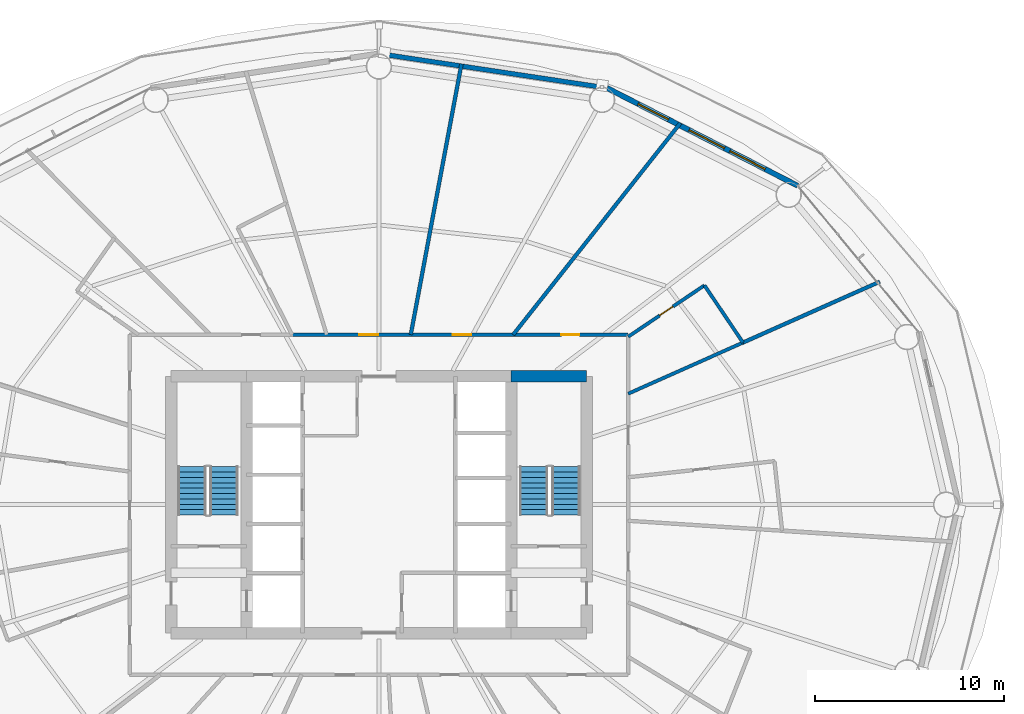
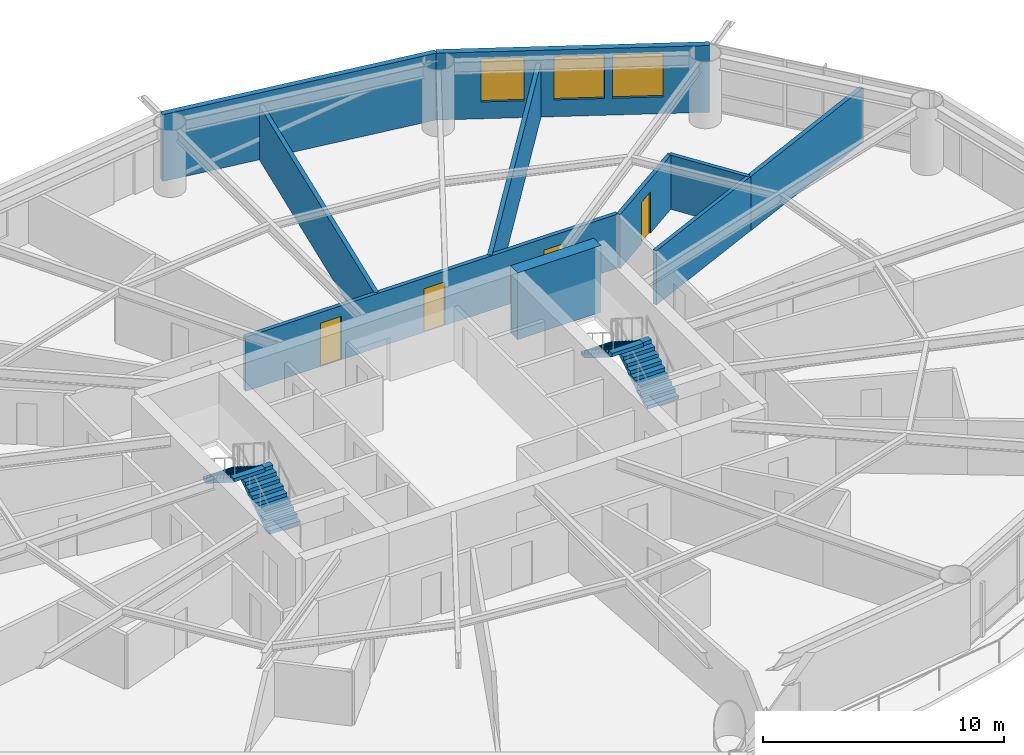
# One storey, part 23 of 26: 10 walls, 4 doors, 4 stair flights, 3 windows, 7 openings, 2 elements without a shape of their own.
"""IFC4 building model written with IfcOpenShell, lengths in metres."""

from ifc_helpers import new_model, si_unit, direction, frame, frame_2d, origin, place, context, subcontext, project, spatial, polyline, rectangle, outline, extrude, material, layer, layer_set, type_object, element, fill, aggregate, save


model = new_model("IFC4")

# Units and contexts
model_context = context("Model", 3, precision=1e-05, world=origin(), true_north=direction((0.0, 1.0)))
body_context = subcontext(model_context, "Body", "Model", "MODEL_VIEW")
ifc_project = project(units=[si_unit("LENGTHUNIT", "METRE"), si_unit("AREAUNIT", "SQUARE_METRE"), si_unit("VOLUMEUNIT", "CUBIC_METRE"), si_unit("PLANEANGLEUNIT", "RADIAN"), si_unit("MASSUNIT", "GRAM", prefix="KILO")], contexts=[model_context])

# Site, building, storey
site_placement = place(None, origin())
site = spatial("IfcSite", under=ifc_project, at=site_placement, CompositionType="ELEMENT")
building_placement = place(site_placement, origin())
building = spatial("IfcBuilding", under=site, at=building_placement, Name="Sarneth Arch Tower", CompositionType="ELEMENT")
storey_placement = place(building_placement, frame((0.0, 0.0, 57.0)))
storey = spatial("IfcBuildingStorey", under=building, at=storey_placement, Name="L13", CompositionType="ELEMENT", Elevation=57.0)

# Wall
ifc_material_1 = material(Name="Concrete C60/75", Category="concrete")
ifc_layer_1 = layer(ifc_material_1, 0.60009765625)
ifc_layer_set_1 = layer_set([ifc_layer_1], Name="Concrete C60/75")
wall_type_1 = type_object("IfcWallType", Name="WALL-CORE-600", PredefinedType="SHEAR", material=ifc_layer_set_1)
wall_1_placement = place(storey_placement, frame((55.0, 48.800048828125, 0.0), z_axis=(0.0, 0.0, 1.0), x_axis=(1.0, 0.0, 0.0)))
element("IfcWall", 1, at=wall_1_placement, inside=storey, type_object=wall_type_1, Name="L13 Core shear wall N-E", PredefinedType="SHEAR", context=body_context, shape_type="SweptSolid", body=[
    extrude(rectangle(XDim=4.0, YDim=0.60009765625, at=frame_2d((2.0, 0.0))), origin(), (0.0, 0.0, 1.0), 3.3798828125),
])

# Wall, openings, doors
ifc_material_2 = material(Name="Double steel-stud corridor fire wall", Category="steel")
ifc_layer_2 = layer(ifc_material_2, 0.18994140625)
ifc_layer_set_2 = layer_set([ifc_layer_2], Name="Double steel-stud corridor fire wall")
wall_type_2 = type_object("IfcWallType", Name="WALL-CORR-190", PredefinedType="PARTITIONING", material=ifc_layer_set_2)
wall_2_placement = place(storey_placement, frame((43.369140625, 51.0, 0.0), z_axis=(0.0, 0.0, 1.0), x_axis=(1.0, 0.0, 0.0)))
wall_2 = element("IfcWall", 2, at=wall_2_placement, inside=storey, type_object=wall_type_2, Name="L13 Interior partition W-L13-TP-001", PredefinedType="PARTITIONING", context=body_context, shape_type="SweptSolid", body=[
    extrude(rectangle(XDim=17.830810546875, YDim=0.18994140625, at=frame_2d((8.91552734375, 0.0))), origin(), (0.0, 0.0, 1.0), 2.739990234375),
])
opening_1_placement = place(wall_2_placement, frame((14.290283203125, 0.0, 0.0)))
opening_1 = element("IfcOpeningElement", 3, at=opening_1_placement, cuts=wall_2, Name="Opening FD-09", PredefinedType="OPENING", context=body_context, shape_type="SweptSolid", body=[
    extrude(rectangle(XDim=0.949951171875, YDim=2.14990234375, at=frame_2d((0.47509765625, 1.074951171875))), frame((0.0, 0.10498046875, 0.0), z_axis=(0.0, -1.0, 0.0), x_axis=(1.0, 0.0, 0.0)), (0.0, 0.0, 1.0), 0.2099609375),
])
opening_2_placement = place(wall_2_placement, frame((8.533203125, 0.0, 0.0)))
opening_2 = element("IfcOpeningElement", 4, at=opening_2_placement, cuts=wall_2, Name="Opening FD-08", PredefinedType="OPENING", context=body_context, shape_type="SweptSolid", body=[
    extrude(rectangle(XDim=1.0, YDim=2.199951171875, at=frame_2d((0.5, 1.10009765625))), frame((0.0, 0.10498046875, 0.0), z_axis=(0.0, -1.0, 0.0), x_axis=(1.0, 0.0, 0.0)), (0.0, 0.0, 1.0), 0.2099609375),
])
opening_3_placement = place(wall_2_placement, frame((3.59130859375, 0.0, 0.0)))
opening_3 = element("IfcOpeningElement", 5, at=opening_3_placement, cuts=wall_2, Name="Opening FD-08", PredefinedType="OPENING", context=body_context, shape_type="SweptSolid", body=[
    extrude(rectangle(XDim=1.0, YDim=2.199951171875, at=frame_2d((0.5, 1.10009765625))), frame((0.0, 0.10498046875, 0.0), z_axis=(0.0, -1.0, 0.0), x_axis=(1.0, 0.0, 0.0)), (0.0, 0.0, 1.0), 0.2099609375),
])
ifc_material_3 = material(Name="Hardwood timber acoustic fire door", Category="wood")
door_type_1 = type_object("IfcDoorType", Name="DR-FD60-1000", OperationType="SINGLE_SWING_LEFT", PredefinedType="DOOR", material=ifc_material_3)
door_1_placement = place(opening_2_placement, origin())
door_1 = element("IfcDoor", 6, at=door_1_placement, inside=storey, type_object=door_type_1, Name="L13 Interior door DR-L13-AMN-02", OperationType="SINGLE_SWING_RIGHT", OverallHeight=2.199951171875, OverallWidth=1.0, PredefinedType="DOOR", context=body_context, shape_type="SweptSolid", body=[
    extrude(rectangle(XDim=1.0, YDim=2.199951171875, at=frame_2d((0.5, 1.10009765625))), frame((0.0, 0.02490234375, 0.0), z_axis=(0.0, -1.0, 0.0), x_axis=(1.0, 0.0, 0.0)), (0.0, 0.0, 1.0), 0.050048828125),
])
fill(opening_2, door_1)
door_2_placement = place(opening_3_placement, origin())
door_2 = element("IfcDoor", 7, at=door_2_placement, inside=storey, type_object=door_type_1, Name="L13 Interior door DR-L13-AMN-03", OperationType="SINGLE_SWING_LEFT", OverallHeight=2.199951171875, OverallWidth=1.0, PredefinedType="DOOR", context=body_context, shape_type="SweptSolid", body=[
    extrude(rectangle(XDim=1.0, YDim=2.199951171875, at=frame_2d((0.5, 1.10009765625))), frame((0.0, 0.02490234375, 0.0), z_axis=(0.0, -1.0, 0.0), x_axis=(1.0, 0.0, 0.0)), (0.0, 0.0, 1.0), 0.050048828125),
])
fill(opening_3, door_2)
ifc_material_4 = material(Name="Hardwood timber hotel entrance fire door", Category="wood")
door_type_2 = type_object("IfcDoorType", Name="DR-FD60-950", OperationType="SINGLE_SWING_RIGHT", PredefinedType="DOOR", material=ifc_material_4)
door_3_placement = place(opening_1_placement, origin())
door_3 = element("IfcDoor", 8, at=door_3_placement, inside=storey, type_object=door_type_2, Name="L13 Interior door DR-L13-KEY-01", OperationType="SINGLE_SWING_LEFT", OverallHeight=2.14990234375, OverallWidth=0.949951171875, PredefinedType="DOOR", context=body_context, shape_type="SweptSolid", body=[
    extrude(rectangle(XDim=0.949951171875, YDim=2.14990234375, at=frame_2d((0.47509765625, 1.074951171875))), frame((0.0, 0.02490234375, 0.0), z_axis=(0.0, -1.0, 0.0), x_axis=(1.0, 0.0, 0.0)), (0.0, 0.0, 1.0), 0.050048828125),
])
fill(opening_1, door_3)

# Wall
ifc_material_5 = material(Name="Extruded terracotta rainscreen on Concrete C40/50 backing", Category="masonry")
ifc_layer_3 = layer(ifc_material_5, 0.25)
ifc_layer_set_3 = layer_set([ifc_layer_3], Name="Extruded terracotta rainscreen on Concrete C40/50 backing")
wall_type_3 = type_object("IfcWallType", Name="WALL-EXT-SPAND-250", PredefinedType="SOLIDWALL", material=ifc_layer_set_3)
wall_3_placement = place(storey_placement, frame((60.077880859375, 64.062255859375, 0.0), z_axis=(0.0, 0.0, 1.0), x_axis=(-0.988864835849, 0.148816452121, 0.0)))
element("IfcWall", 9, at=wall_3_placement, inside=storey, type_object=wall_type_3, Name="L13 Terracotta perimeter wall 04", PredefinedType="SOLIDWALL", context=body_context, shape_type="SweptSolid", body=[
    extrude(rectangle(XDim=12.2138671875, YDim=0.25, at=frame_2d((6.10693359375, 0.0))), origin(), (0.0, 0.0, 1.0), 3.3798828125),
])

# Wall, openings, windows
ifc_material_6 = material(Name="Extruded terracotta rainscreen on Concrete C40/50 backing", Category="masonry")
ifc_layer_4 = layer(ifc_material_6, 0.280029296875)
ifc_layer_set_4 = layer_set([ifc_layer_4], Name="Extruded terracotta rainscreen on Concrete C40/50 backing")
wall_type_4 = type_object("IfcWallType", Name="WALL-EXT-TERRA-280", PredefinedType="SOLIDWALL", material=ifc_layer_set_4)
wall_4_placement = place(storey_placement, frame((70.174072265625, 58.8857421875, 0.0), z_axis=(0.0, 0.0, 1.0), x_axis=(-0.889853976658, 0.456245438581, 0.0)))
wall_4 = element("IfcWall", 10, at=wall_4_placement, inside=storey, type_object=wall_type_4, Name="L13 Terracotta perimeter wall 03", PredefinedType="SOLIDWALL", context=body_context, shape_type="SweptSolid", body=[
    extrude(rectangle(XDim=11.345947265625, YDim=0.280029296875, at=frame_2d((5.6728515625, 0.0))), origin(), (0.0, 0.0, 1.0), 3.3798828125),
])
opening_4_placement = place(wall_4_placement, frame((1.934814453125, 0.0, 0.85009765625)))
opening_4 = element("IfcOpeningElement", 11, at=opening_4_placement, cuts=wall_4, Name="Opening W-03", PredefinedType="OPENING", context=body_context, shape_type="SweptSolid", body=[
    extrude(rectangle(XDim=2.10009765625, YDim=2.199951171875, at=frame_2d((1.050048828125, 1.10009765625))), frame((0.0, 0.14990234375, 0.0), z_axis=(0.0, -1.0, 0.0), x_axis=(1.0, 0.0, 0.0)), (0.0, 0.0, 1.0), 0.300048828125),
])
opening_5_placement = place(wall_4_placement, frame((4.364013671875, 0.0, 0.85009765625)))
opening_5 = element("IfcOpeningElement", 12, at=opening_5_placement, cuts=wall_4, Name="Opening W-03", PredefinedType="OPENING", context=body_context, shape_type="SweptSolid", body=[
    extrude(rectangle(XDim=2.10009765625, YDim=2.199951171875, at=frame_2d((1.050048828125, 1.10009765625))), frame((0.0, 0.14990234375, 0.0), z_axis=(0.0, -1.0, 0.0), x_axis=(1.0, 0.0, 0.0)), (0.0, 0.0, 1.0), 0.300048828125),
])
opening_6_placement = place(wall_4_placement, frame((7.69189453125, 0.0, 0.85009765625)))
opening_6 = element("IfcOpeningElement", 13, at=opening_6_placement, cuts=wall_4, Name="Opening W-04", PredefinedType="OPENING", context=body_context, shape_type="SweptSolid", body=[
    extrude(rectangle(XDim=1.800048828125, YDim=2.199951171875, at=frame_2d((0.89990234375, 1.10009765625))), frame((0.0, 0.14990234375, 0.0), z_axis=(0.0, -1.0, 0.0), x_axis=(1.0, 0.0, 0.0)), (0.0, 0.0, 1.0), 0.300048828125),
])
ifc_material_7 = material(Name="Thermally broken Aluminium 6063-T6 and low-e laminated IGU", Category="aluminium")
window_type_1 = type_object("IfcWindowType", Name="WIN-TWR-1800x2200", PartitioningType="DOUBLE_PANEL_VERTICAL", PredefinedType="WINDOW", material=ifc_material_7)
window_1_placement = place(opening_6_placement, origin())
window_1 = element("IfcWindow", 14, at=window_1_placement, inside=storey, type_object=window_type_1, Name="L13 Exterior window 03C", OverallHeight=2.199951171875, OverallWidth=1.800048828125, PartitioningType="SINGLE_PANEL", PredefinedType="WINDOW", context=body_context, shape_type="SweptSolid", body=[
    extrude(rectangle(XDim=1.800048828125, YDim=2.199951171875, at=frame_2d((0.89990234375, 1.10009765625))), frame((0.0, 0.030029296875, 0.0), z_axis=(0.0, -1.0, 0.0), x_axis=(1.0, 0.0, 0.0)), (0.0, 0.0, 1.0), 0.06005859375),
])
fill(opening_6, window_1)
ifc_material_8 = material(Name="Thermally broken Aluminium 6063-T6 and low-e laminated IGU", Category="aluminium")
window_type_2 = type_object("IfcWindowType", Name="WIN-TWR-2100x2200", PartitioningType="DOUBLE_PANEL_VERTICAL", PredefinedType="WINDOW", material=ifc_material_8)
window_2_placement = place(opening_4_placement, origin())
window_2 = element("IfcWindow", 15, at=window_2_placement, inside=storey, type_object=window_type_2, Name="L13 Exterior window 03A", OverallHeight=2.199951171875, OverallWidth=2.10009765625, PartitioningType="SINGLE_PANEL", PredefinedType="WINDOW", context=body_context, shape_type="SweptSolid", body=[
    extrude(rectangle(XDim=2.10009765625, YDim=2.199951171875, at=frame_2d((1.050048828125, 1.10009765625))), frame((0.0, 0.030029296875, 0.0), z_axis=(0.0, -1.0, 0.0), x_axis=(1.0, 0.0, 0.0)), (0.0, 0.0, 1.0), 0.06005859375),
])
fill(opening_4, window_2)
window_3_placement = place(opening_5_placement, origin())
window_3 = element("IfcWindow", 16, at=window_3_placement, inside=storey, type_object=window_type_2, Name="L13 Exterior window 03B", OverallHeight=2.199951171875, OverallWidth=2.10009765625, PartitioningType="SINGLE_PANEL", PredefinedType="WINDOW", context=body_context, shape_type="SweptSolid", body=[
    extrude(rectangle(XDim=2.10009765625, YDim=2.199951171875, at=frame_2d((1.050048828125, 1.10009765625))), frame((0.0, 0.030029296875, 0.0), z_axis=(0.0, -1.0, 0.0), x_axis=(1.0, 0.0, 0.0)), (0.0, 0.0, 1.0), 0.06005859375),
])
fill(opening_5, window_3)

# Wall
ifc_material_9 = material(Name="Moisture-resistant plumbing chase wall", Category="gypsum")
ifc_layer_5 = layer(ifc_material_9, 0.179931640625)
ifc_layer_set_5 = layer_set([ifc_layer_5], Name="Moisture-resistant plumbing chase wall")
wall_type_5 = type_object("IfcWallType", Name="WALL-PLUMB-180", PredefinedType="PLUMBINGWALL", material=ifc_layer_set_5)
wall_5_placement = place(storey_placement, frame((67.278076171875, 50.5830078125, 0.0), z_axis=(0.0, 0.0, 1.0), x_axis=(-0.913551093465, -0.406723984575, 0.0)))
element("IfcWall", 17, at=wall_5_placement, inside=storey, type_object=wall_type_5, Name="L13 Interior partition W-L13-TP-032", PredefinedType="PLUMBINGWALL", context=body_context, shape_type="SweptSolid", body=[
    extrude(rectangle(XDim=6.6533203125, YDim=0.179931640625, at=frame_2d((3.32666015625, 0.0))), origin(), (0.0, 0.0, 1.0), 2.739990234375),
])

# Wall, opening, door
wall_6_placement = place(storey_placement, frame((61.199951171875, 50.893310546875, 0.0), z_axis=(0.0, 0.0, 1.0), x_axis=(0.829362933151, 0.558710233587, 0.0)))
wall_6 = element("IfcWall", 18, at=wall_6_placement, inside=storey, type_object=wall_type_5, Name="L13 Interior partition W-L13-TP-028", PredefinedType="PLUMBINGWALL", context=body_context, shape_type="SweptSolid", body=[
    extrude(rectangle(XDim=4.867431640625, YDim=0.179931640625, at=frame_2d((2.43359375, 0.0))), origin(), (0.0, 0.0, 1.0), 2.739990234375),
])
opening_7_placement = place(wall_6_placement, frame((2.0087890625, 0.0, 0.0)))
opening_7 = element("IfcOpeningElement", 19, at=opening_7_placement, cuts=wall_6, Name="Opening ID-02", PredefinedType="OPENING", context=body_context, shape_type="SweptSolid", body=[
    extrude(rectangle(XDim=0.85009765625, YDim=2.10009765625, at=frame_2d((0.425048828125, 1.050048828125))), frame((0.0, 0.099853515625, 0.0), z_axis=(0.0, -1.0, 0.0), x_axis=(1.0, 0.0, 0.0)), (0.0, 0.0, 1.0), 0.199951171875),
])
ifc_material_10 = material(Name="Moisture-resistant bathroom timber door", Category="wood")
door_type_3 = type_object("IfcDoorType", Name="DR-INT-850", OperationType="SINGLE_SWING_RIGHT", PredefinedType="DOOR", material=ifc_material_10)
door_4_placement = place(opening_7_placement, origin())
door_4 = element("IfcDoor", 20, at=door_4_placement, inside=storey, type_object=door_type_3, Name="L13 Interior door DR-L13-ENS-01", OperationType="SINGLE_SWING_RIGHT", OverallHeight=2.10009765625, OverallWidth=0.85009765625, PredefinedType="DOOR", context=body_context, shape_type="SweptSolid", body=[
    extrude(rectangle(XDim=0.85009765625, YDim=2.10009765625, at=frame_2d((0.425048828125, 1.050048828125))), frame((0.0, 0.02490234375, 0.0), z_axis=(0.0, -1.0, 0.0), x_axis=(1.0, 0.0, 0.0)), (0.0, 0.0, 1.0), 0.050048828125),
])
fill(opening_7, door_4)

# Walls
wall_7_placement = place(storey_placement, frame((65.23681640625, 53.61279296875, 0.0), z_axis=(0.0, 0.0, 1.0), x_axis=(0.558749555988, -0.829336441791, 0.0)))
element("IfcWall", 21, at=wall_7_placement, inside=storey, type_object=wall_type_5, Name="L13 Interior partition W-L13-TP-029", PredefinedType="PLUMBINGWALL", context=body_context, shape_type="SweptSolid", body=[
    extrude(rectangle(XDim=3.6533203125, YDim=0.179931640625, at=frame_2d((1.82666015625, 0.0))), origin(), (0.0, 0.0, 1.0), 2.739990234375),
])
ifc_material_11 = material(Name="Double steel-stud acoustic drywall", Category="steel")
ifc_layer_6 = layer(ifc_material_11, 0.199951171875)
ifc_layer_set_6 = layer_set([ifc_layer_6], Name="Double steel-stud acoustic drywall")
wall_type_6 = type_object("IfcWallType", Name="WALL-UNIT-200", PredefinedType="PARTITIONING", material=ifc_layer_set_6)
wall_8_placement = place(storey_placement, frame((52.375, 65.3427734375, 0.0), z_axis=(0.0, 0.0, 1.0), x_axis=(-0.184219844734, -0.982885063884, 0.0)))
element("IfcWall", 22, at=wall_8_placement, inside=storey, type_object=wall_type_6, Name="L13 Interior partition W-L13-TP-033", PredefinedType="PARTITIONING", context=body_context, shape_type="SweptSolid", body=[
    extrude(rectangle(XDim=14.592529296875, YDim=0.199951171875, at=frame_2d((7.29638671875, 0.0))), origin(), (0.0, 0.0, 1.0), 2.739990234375),
])
wall_9_placement = place(storey_placement, frame((63.96044921875, 62.203857421875, 0.0), z_axis=(0.0, 0.0, 1.0), x_axis=(-0.619889304847, -0.784689269543, 0.0)))
element("IfcWall", 23, at=wall_9_placement, inside=storey, type_object=wall_type_6, Name="L13 Interior partition W-L13-TP-030", PredefinedType="PARTITIONING", context=body_context, shape_type="SweptSolid", body=[
    extrude(rectangle(XDim=14.278076171875, YDim=0.199951171875, at=frame_2d((7.13916015625, 0.0))), origin(), (0.0, 0.0, 1.0), 2.739990234375),
])
wall_10_placement = place(storey_placement, frame((74.522705078125, 53.80859375, 0.0), z_axis=(0.0, 0.0, 1.0), x_axis=(-0.913542208968, -0.40674393964, 0.0)))
element("IfcWall", 24, at=wall_10_placement, inside=storey, type_object=wall_type_6, Name="L13 Interior partition W-L13-TP-031", PredefinedType="PARTITIONING", context=body_context, shape_type="SweptSolid", body=[
    extrude(rectangle(XDim=7.93017578125, YDim=0.199951171875, at=frame_2d((3.965087890625, 0.0))), origin(), (0.0, 0.0, 1.0), 2.739990234375),
])

# Stair, stair flights
ifc_material_12 = material(Name="Concrete C50/60", Category="concrete")
stair_type = type_object("IfcStairType", Name="STAIR-CORE-RC", PredefinedType="HALF_TURN_STAIR", material=ifc_material_12)
stair_1_placement = place(storey_placement, origin())
stair_1 = element("IfcStair", 25, at=stair_1_placement, inside=storey, type_object=stair_type, Name="L13 Core Exit Stair 1", PredefinedType="HALF_TURN_STAIR")
ifc_material_13 = material(Name="Concrete C50/60", Category="concrete")
stair_flight_type = type_object("IfcStairFlightType", Name="FLIGHT-RC-1500", PredefinedType="STRAIGHT", material=ifc_material_13)
stair_flight_1_placement = place(storey_placement, frame((39.800048828125, 41.449951171875, 0.0), z_axis=(0.0, 0.0, 1.0), x_axis=(0.0, 1.0, 0.0)))
stair_flight_1 = element("IfcStairFlight", 26, at=stair_flight_1_placement, type_object=stair_flight_type, Name="ST-1 flight 1", NumberOfRisers=10, NumberOfTreads=9, PredefinedType="STRAIGHT", RiserHeight=0.18, TreadLength=0.285, context=body_context, shape_type="SweptSolid", body=[
    extrude(outline(polyline([(0.0, 0.0), (0.0, 0.179931640625), (0.284912109375, 0.179931640625), (0.284912109375, 0.360107421875), (0.570068359375, 0.360107421875), (0.570068359375, 0.5400390625), (0.85498046875, 0.5400390625), (0.85498046875, 0.719970703125), (1.139892578125, 0.719970703125), (1.139892578125, 0.89990234375), (1.425048828125, 0.89990234375), (1.425048828125, 1.080078125), (1.7099609375, 1.080078125), (1.7099609375, 1.260009765625), (1.9951171875, 1.260009765625), (1.9951171875, 1.43994140625), (2.280029296875, 1.43994140625), (2.280029296875, 1.6201171875), (2.56494140625, 1.6201171875), (2.56494140625, 1.800048828125), (2.56494140625, 1.442626953125), (0.28076171875, 0.0), (0.0, 0.0)])), frame((0.0, 0.75, 0.0), z_axis=(0.0, -1.0, 0.0), x_axis=(1.0, 0.0, 0.0)), (0.0, 0.0, 1.0), 1.5),
])
stair_flight_2_placement = place(storey_placement, frame((38.10009765625, 44.014892578125, 1.800048828125), z_axis=(0.0, 0.0, 1.0), x_axis=(0.0, -1.0, 0.0)))
stair_flight_2 = element("IfcStairFlight", 27, at=stair_flight_2_placement, type_object=stair_flight_type, Name="ST-1 flight 2", NumberOfRisers=10, NumberOfTreads=9, PredefinedType="STRAIGHT", RiserHeight=0.18, TreadLength=0.285, context=body_context, shape_type="SweptSolid", body=[
    extrude(outline(polyline([(0.0, 0.0), (0.0, 0.179931640625), (0.284912109375, 0.179931640625), (0.284912109375, 0.360107421875), (0.570068359375, 0.360107421875), (0.570068359375, 0.5400390625), (0.85498046875, 0.5400390625), (0.85498046875, 0.719970703125), (1.139892578125, 0.719970703125), (1.139892578125, 0.89990234375), (1.425048828125, 0.89990234375), (1.425048828125, 1.080078125), (1.7099609375, 1.080078125), (1.7099609375, 1.260009765625), (1.9951171875, 1.260009765625), (1.9951171875, 1.43994140625), (2.280029296875, 1.43994140625), (2.280029296875, 1.6201171875), (2.56494140625, 1.6201171875), (2.56494140625, 1.800048828125), (2.56494140625, 1.442626953125), (0.28076171875, 0.0), (0.0, 0.0)])), frame((0.0, 0.75, 0.0), z_axis=(0.0, -1.0, 0.0), x_axis=(1.0, 0.0, 0.0)), (0.0, 0.0, 1.0), 1.5),
])
aggregate(stair_1, [stair_flight_1, stair_flight_2])

stair_2_placement = place(storey_placement, origin())
stair_2 = element("IfcStair", 28, at=stair_2_placement, inside=storey, type_object=stair_type, Name="L13 Core Exit Stair 2", PredefinedType="HALF_TURN_STAIR")
stair_flight_3_placement = place(storey_placement, frame((57.89990234375, 41.449951171875, 0.0), z_axis=(0.0, 0.0, 1.0), x_axis=(0.0, 1.0, 0.0)))
stair_flight_3 = element("IfcStairFlight", 29, at=stair_flight_3_placement, type_object=stair_flight_type, Name="ST-2 flight 1", NumberOfRisers=10, NumberOfTreads=9, PredefinedType="STRAIGHT", RiserHeight=0.18, TreadLength=0.285, context=body_context, shape_type="SweptSolid", body=[
    extrude(outline(polyline([(0.0, 0.0), (0.0, 0.179931640625), (0.284912109375, 0.179931640625), (0.284912109375, 0.360107421875), (0.570068359375, 0.360107421875), (0.570068359375, 0.5400390625), (0.85498046875, 0.5400390625), (0.85498046875, 0.719970703125), (1.139892578125, 0.719970703125), (1.139892578125, 0.89990234375), (1.425048828125, 0.89990234375), (1.425048828125, 1.080078125), (1.7099609375, 1.080078125), (1.7099609375, 1.260009765625), (1.9951171875, 1.260009765625), (1.9951171875, 1.43994140625), (2.280029296875, 1.43994140625), (2.280029296875, 1.6201171875), (2.56494140625, 1.6201171875), (2.56494140625, 1.800048828125), (2.56494140625, 1.442626953125), (0.28076171875, 0.0), (0.0, 0.0)])), frame((0.0, 0.75, 0.0), z_axis=(0.0, -1.0, 0.0), x_axis=(1.0, 0.0, 0.0)), (0.0, 0.0, 1.0), 1.5),
])
stair_flight_4_placement = place(storey_placement, frame((56.199951171875, 44.014892578125, 1.800048828125), z_axis=(0.0, 0.0, 1.0), x_axis=(0.0, -1.0, 0.0)))
stair_flight_4 = element("IfcStairFlight", 30, at=stair_flight_4_placement, type_object=stair_flight_type, Name="ST-2 flight 2", NumberOfRisers=10, NumberOfTreads=9, PredefinedType="STRAIGHT", RiserHeight=0.18, TreadLength=0.285, context=body_context, shape_type="SweptSolid", body=[
    extrude(outline(polyline([(0.0, 0.0), (0.0, 0.179931640625), (0.284912109375, 0.179931640625), (0.284912109375, 0.360107421875), (0.570068359375, 0.360107421875), (0.570068359375, 0.5400390625), (0.85498046875, 0.5400390625), (0.85498046875, 0.719970703125), (1.139892578125, 0.719970703125), (1.139892578125, 0.89990234375), (1.425048828125, 0.89990234375), (1.425048828125, 1.080078125), (1.7099609375, 1.080078125), (1.7099609375, 1.260009765625), (1.9951171875, 1.260009765625), (1.9951171875, 1.43994140625), (2.280029296875, 1.43994140625), (2.280029296875, 1.6201171875), (2.56494140625, 1.6201171875), (2.56494140625, 1.800048828125), (2.56494140625, 1.442626953125), (0.28076171875, 0.0), (0.0, 0.0)])), frame((0.0, 0.75, 0.0), z_axis=(0.0, -1.0, 0.0), x_axis=(1.0, 0.0, 0.0)), (0.0, 0.0, 1.0), 1.5),
])
aggregate(stair_2, [stair_flight_3, stair_flight_4])

save(model, "model.ifc")
